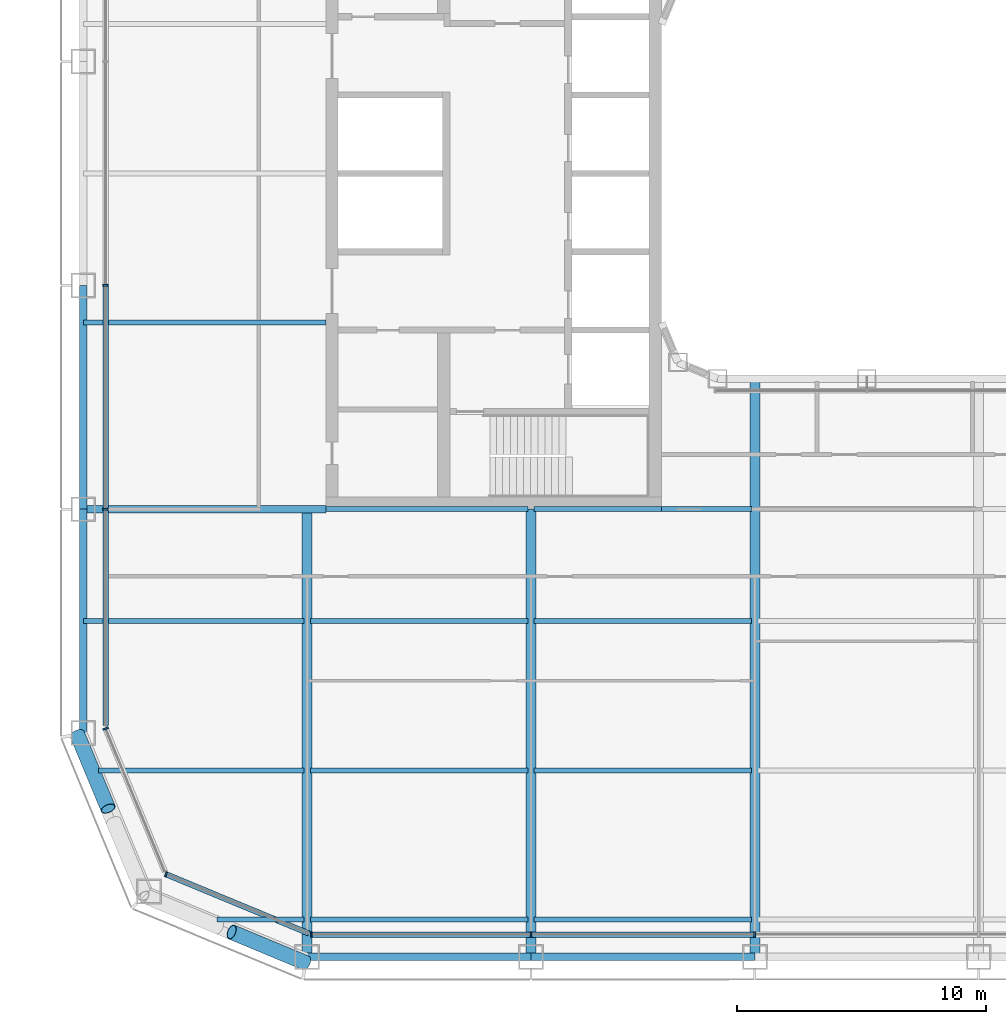
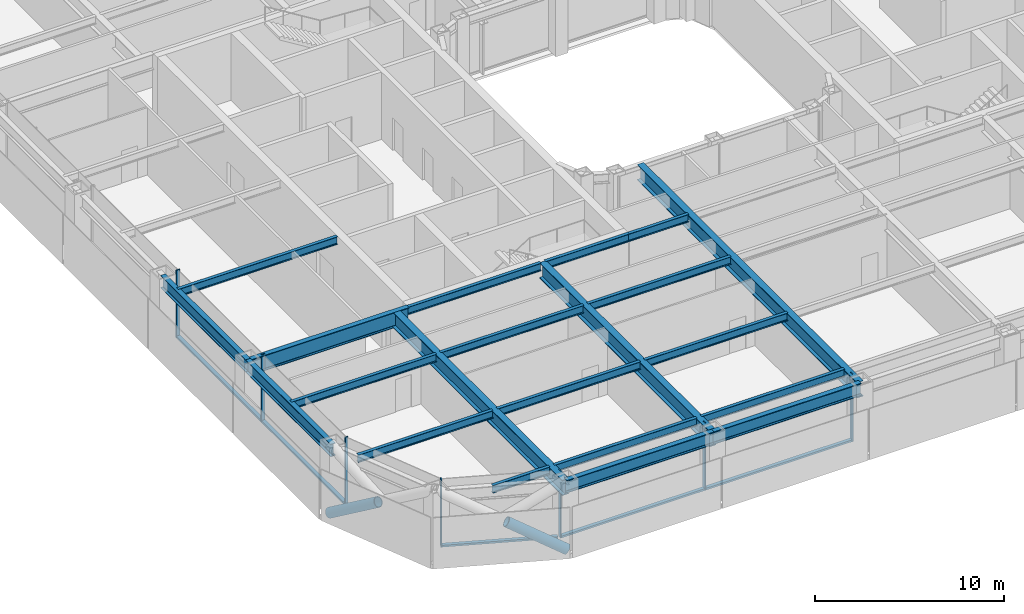
# One storey, part 2 of 29: 21 beams, 14 members, 4 elements without a shape of their own.
"""IFC4 building model written with IfcOpenShell, lengths in metres."""

from ifc_helpers import new_model, si_unit, direction, frame, origin, origin_2d, place, context, subcontext, project, spatial, rectangle, hollow_circle, i_section, extrude, material, layer, layer_set, material_profile, profile_set, type_object, element, aggregate, save


model = new_model("IFC4")

# Units and contexts
model_context = context("Model", 3, precision=1e-05, world=origin(), true_north=direction((0.0, 1.0)))
body_context = subcontext(model_context, "Body", "Model", "MODEL_VIEW")
ifc_project = project(units=[si_unit("LENGTHUNIT", "METRE"), si_unit("AREAUNIT", "SQUARE_METRE"), si_unit("VOLUMEUNIT", "CUBIC_METRE"), si_unit("PLANEANGLEUNIT", "RADIAN"), si_unit("MASSUNIT", "GRAM", prefix="KILO")], contexts=[model_context])

# Site, building, storey
site_placement = place(None, origin())
site = spatial("IfcSite", under=ifc_project, at=site_placement, CompositionType="ELEMENT")
building_placement = place(site_placement, origin())
building = spatial("IfcBuilding", under=site, at=building_placement, Name="Siwar Civic Tower", CompositionType="ELEMENT")
storey_placement = place(building_placement, frame((0.0, 0.0, 67.199951171875)))
storey = spatial("IfcBuildingStorey", under=building, at=storey_placement, Name="L14", CompositionType="ELEMENT", Elevation=67.199951171875)

# Curtain wall, members
ifc_material_1 = material(Name="Aluminium and glass", Category="aluminium")
ifc_layer_1 = layer(ifc_material_1, 0.219970703125)
ifc_layer_set_1 = layer_set([ifc_layer_1], Name="Aluminium and glass")
curtain_wall_type_1 = type_object("IfcCurtainWallType", Name="ENV-CW-A", PredefinedType="NOTDEFINED", material=ifc_layer_set_1)
curtain_wall_1_placement = place(storey_placement, origin())
curtain_wall_1 = element("IfcCurtainWall", 1, at=curtain_wall_1_placement, inside=storey, type_object=curtain_wall_type_1, Name="Curtain wall A S", PredefinedType="NOTDEFINED")
ifc_material_2 = material(Name="Aluminium 6063-T6", Category="aluminium")
ifc_material_profile_1 = material_profile(ifc_material_2, rectangle(XDim=0.219970703125, YDim=0.070068359375, at=origin_2d()), Name="AL 220x70")
ifc_profile_set_1 = profile_set([ifc_material_profile_1], Name="Aluminium 6063-T6")
member_type_1 = type_object("IfcMemberType", Name="ENV-MULLION-A", PredefinedType="MULLION", material=ifc_profile_set_1)
member_1_placement = place(storey_placement, frame((-22.321044921875, -30.60009765625, 0.0), z_axis=(0.0, 0.0, 1.0), x_axis=(0.0, 1.0, 0.0)))
member_1 = element("IfcMember", 2, at=member_1_placement, type_object=member_type_1, Name="Mullion A S 1", PredefinedType="MULLION", context=body_context, shape_type="SweptSolid", body=[
    extrude(rectangle(XDim=0.219970703125, YDim=0.070068359375, at=origin_2d()), origin(), (0.0, 0.0, 1.0), 4.35009765625),
])
member_2_placement = place(storey_placement, frame((-13.5, -30.60009765625, 0.0), z_axis=(0.0, 0.0, 1.0), x_axis=(0.0, 1.0, 0.0)))
member_2 = element("IfcMember", 3, at=member_2_placement, type_object=member_type_1, Name="Mullion A S 2", PredefinedType="MULLION", context=body_context, shape_type="SweptSolid", body=[
    extrude(rectangle(XDim=0.219970703125, YDim=0.070068359375, at=origin_2d()), origin(), (0.0, 0.0, 1.0), 4.35009765625),
])
member_3_placement = place(storey_placement, frame((-4.5, -30.60009765625, 0.0), z_axis=(0.0, 0.0, 1.0), x_axis=(0.0, 1.0, 0.0)))
member_3 = element("IfcMember", 4, at=member_3_placement, type_object=member_type_1, Name="Mullion A S 3", PredefinedType="MULLION", context=body_context, shape_type="SweptSolid", body=[
    extrude(rectangle(XDim=0.219970703125, YDim=0.070068359375, at=origin_2d()), origin(), (0.0, 0.0, 1.0), 4.35009765625),
])

curtain_wall_2_placement = place(storey_placement, origin())
curtain_wall_2 = element("IfcCurtainWall", 5, at=curtain_wall_2_placement, inside=storey, type_object=curtain_wall_type_1, Name="Curtain wall A W", PredefinedType="NOTDEFINED")
member_4_placement = place(storey_placement, frame((-30.60009765625, -4.5, 0.0), z_axis=(0.0, 0.0, 1.0), x_axis=(1.0, 0.0, 0.0)))
member_4 = element("IfcMember", 6, at=member_4_placement, type_object=member_type_1, Name="Mullion A W 4", PredefinedType="MULLION", context=body_context, shape_type="SweptSolid", body=[
    extrude(rectangle(XDim=0.219970703125, YDim=0.070068359375, at=origin_2d()), origin(), (0.0, 0.0, 1.0), 4.35009765625),
])
member_5_placement = place(storey_placement, frame((-30.60009765625, -13.5, 0.0), z_axis=(0.0, 0.0, 1.0), x_axis=(1.0, 0.0, 0.0)))
member_5 = element("IfcMember", 7, at=member_5_placement, type_object=member_type_1, Name="Mullion A W 5", PredefinedType="MULLION", context=body_context, shape_type="SweptSolid", body=[
    extrude(rectangle(XDim=0.219970703125, YDim=0.070068359375, at=origin_2d()), origin(), (0.0, 0.0, 1.0), 4.35009765625),
])

# Curtain wall, member
ifc_material_3 = material(Name="Aluminium clad insulated panel", Category="aluminium")
ifc_layer_2 = layer(ifc_material_3, 0.219970703125)
ifc_layer_set_2 = layer_set([ifc_layer_2], Name="Aluminium clad insulated panel")
curtain_wall_type_2 = type_object("IfcCurtainWallType", Name="ENV-CW-AX", PredefinedType="NOTDEFINED", material=ifc_layer_set_2)
curtain_wall_3_placement = place(storey_placement, origin())
curtain_wall_3 = element("IfcCurtainWall", 8, at=curtain_wall_3_placement, inside=storey, type_object=curtain_wall_type_2, Name="Curtain wall A SW1", PredefinedType="NOTDEFINED")
member_6_placement = place(storey_placement, frame((-30.60009765625, -22.321044921875, 0.0), z_axis=(0.0, 0.0, 1.0), x_axis=(0.923879532511, 0.382683432365, 0.0)))
member_6 = element("IfcMember", 9, at=member_6_placement, type_object=member_type_1, Name="Mullion A SW1 1", PredefinedType="MULLION", context=body_context, shape_type="SweptSolid", body=[
    extrude(rectangle(XDim=0.219970703125, YDim=0.070068359375, at=origin_2d()), origin(), (0.0, 0.0, 1.0), 4.35009765625),
])
aggregate(curtain_wall_3, [member_6])

curtain_wall_4_placement = place(storey_placement, origin())
curtain_wall_4 = element("IfcCurtainWall", 10, at=curtain_wall_4_placement, inside=storey, type_object=curtain_wall_type_2, Name="Curtain wall A SW2", PredefinedType="NOTDEFINED")
member_7_placement = place(storey_placement, frame((-28.175048828125, -28.175048828125, 0.0), z_axis=(0.0, 0.0, 1.0), x_axis=(0.382683432365, 0.923879532511, 0.0)))
member_7 = element("IfcMember", 11, at=member_7_placement, type_object=member_type_1, Name="Mullion A SW2 1", PredefinedType="MULLION", context=body_context, shape_type="SweptSolid", body=[
    extrude(rectangle(XDim=0.219970703125, YDim=0.070068359375, at=origin_2d()), origin(), (0.0, 0.0, 1.0), 4.35009765625),
])

# Member
ifc_material_4 = material(Name="Aluminium 6063-T6", Category="aluminium")
ifc_material_profile_2 = material_profile(ifc_material_4, rectangle(XDim=0.219970703125, YDim=0.1201171875, at=origin_2d()), Name="AL 220x120")
ifc_profile_set_2 = profile_set([ifc_material_profile_2], Name="Aluminium 6063-T6")
member_type_2 = type_object("IfcMemberType", Name="ENV-TRANSOM-A", PredefinedType="USERDEFINED", material=ifc_profile_set_2)
member_8_placement = place(storey_placement, frame((-22.285888671875, -30.60009765625, 0.06005859375), z_axis=(1.0, 0.0, 0.0), x_axis=(0.0, 1.0, 0.0)))
member_8 = element("IfcMember", 12, at=member_8_placement, type_object=member_type_2, Name="Transom A S 1", ObjectType="TRANSOM", PredefinedType="USERDEFINED", context=body_context, shape_type="SweptSolid", body=[
    extrude(rectangle(XDim=0.219970703125, YDim=0.1201171875, at=origin_2d()), origin(), (0.0, 0.0, 1.0), 8.7509765625),
])

member_9_placement = place(storey_placement, frame((-13.465087890625, -30.60009765625, 0.06005859375), z_axis=(1.0, 0.0, 0.0), x_axis=(0.0, 1.0, 0.0)))
member_9 = element("IfcMember", 13, at=member_9_placement, type_object=member_type_2, Name="Transom A S 2", ObjectType="TRANSOM", PredefinedType="USERDEFINED", context=body_context, shape_type="SweptSolid", body=[
    extrude(rectangle(XDim=0.219970703125, YDim=0.1201171875, at=origin_2d()), origin(), (0.0, 0.0, 1.0), 8.93017578125),
])

aggregate(curtain_wall_1, [member_1, member_2, member_3, member_8, member_9])

member_10_placement = place(storey_placement, frame((-30.60009765625, -4.534912109375, 0.06005859375), z_axis=(0.0, -1.0, 0.0), x_axis=(1.0, 0.0, 0.0)))
member_10 = element("IfcMember", 14, at=member_10_placement, type_object=member_type_2, Name="Transom A W 4", ObjectType="TRANSOM", PredefinedType="USERDEFINED", context=body_context, shape_type="SweptSolid", body=[
    extrude(rectangle(XDim=0.219970703125, YDim=0.1201171875, at=origin_2d()), origin(), (0.0, 0.0, 1.0), 8.93017578125),
])

member_11_placement = place(storey_placement, frame((-30.60009765625, -13.534912109375, 0.06005859375), z_axis=(0.0, -1.0, 0.0), x_axis=(1.0, 0.0, 0.0)))
member_11 = element("IfcMember", 15, at=member_11_placement, type_object=member_type_2, Name="Transom A W 5", ObjectType="TRANSOM", PredefinedType="USERDEFINED", context=body_context, shape_type="SweptSolid", body=[
    extrude(rectangle(XDim=0.219970703125, YDim=0.1201171875, at=origin_2d()), origin(), (0.0, 0.0, 1.0), 8.66357421875),
])

aggregate(curtain_wall_2, [member_4, member_5, member_10, member_11])

member_12_placement = place(storey_placement, frame((-28.142822265625, -28.1884765625, 0.06005859375), z_axis=(0.923873326341, -0.382698415042, 0.0), x_axis=(0.382698415042, 0.923873326341, 0.0)))
member_12 = element("IfcMember", 16, at=member_12_placement, type_object=member_type_2, Name="Transom A SW2 1", ObjectType="TRANSOM", PredefinedType="USERDEFINED", context=body_context, shape_type="SweptSolid", body=[
    extrude(rectangle(XDim=0.219970703125, YDim=0.1201171875, at=origin_2d()), origin(), (0.0, 0.0, 1.0), 6.17919921875),
])

aggregate(curtain_wall_4, [member_7, member_12])

# Members
ifc_material_5 = material(Name="Steel S355", Category="steel")
ifc_material_profile_3 = material_profile(ifc_material_5, hollow_circle(Radius=0.304931640625, WallThickness=0.030029296875, at=origin_2d()), Name="CHS610x30")
ifc_profile_set_3 = profile_set([ifc_material_profile_3], Name="Steel S355")
member_type_3 = type_object("IfcMemberType", Name="STR-BR-CHS610x30", PredefinedType="BRACE", material=ifc_profile_set_3)
for number, where, z_axis, x_axis, name in (
    (17, (-22.548828125, -31.7451171875, 0.0), (-0.777533059308, 0.323882123145, 0.539020140617), (-0.384524353215, -0.923114847559, 0.0), "L14/brc/ASW1-13-0-2"),
    (18, (-31.7451171875, -22.548828125, 0.0), (0.323882123145, -0.777533059308, 0.539020140617), (0.923114847559, 0.384524353215, 0.0), "L14/brc/ASW1-13-0-4"),
):
    element("IfcMember", number, at=place(storey_placement, frame(where, z_axis=z_axis, x_axis=x_axis)), inside=storey, type_object=member_type_3, Name=name, PredefinedType="BRACE", context=body_context, shape_type="SweptSolid", body=[
        extrude(hollow_circle(Radius=0.304931640625, WallThickness=0.030029296875, at=origin_2d()), origin(), (0.0, 0.0, 1.0), 3.843505859375),
    ])

# Beams
ifc_material_6 = material(Name="Steel S355", Category="steel")
ifc_material_profile_4 = material_profile(ifc_material_6, i_section(OverallWidth=0.199951171875, OverallDepth=0.5, WebThickness=0.01025390625, FlangeThickness=0.01611328125, FilletRadius=0.02099609375, at=origin_2d()), Name="IPE500")
ifc_profile_set_4 = profile_set([ifc_material_profile_4], Name="Steel S355")
beam_type_1 = type_object("IfcBeamType", Name="STR-FB-IPE500", PredefinedType="JOIST", material=ifc_profile_set_4)
beam_1_placement = place(storey_placement, frame((-26.121337890625, -30.0, 4.10009765625), z_axis=(1.0, 0.0, 0.0), x_axis=(0.0, 1.0, 0.0)))
element("IfcBeam", 19, at=beam_1_placement, inside=storey, type_object=beam_type_1, Name="L14/bm/F001", PredefinedType="JOIST", context=body_context, shape_type="SweptSolid", body=[
    extrude(i_section(OverallWidth=0.199951171875, OverallDepth=0.5, WebThickness=0.01025390625, FlangeThickness=0.01611328125, FilletRadius=0.02099609375, at=origin_2d()), origin(), (0.0, 0.0, 1.0), 3.491455078125),
])
for number, where, z_axis, x_axis, name in (
    (20, (-22.3701171875, -30.0, 4.10009765625), (1.0, 0.0, 0.0), (0.0, 1.0, 0.0), "L14/bm/F002"),
    (21, (-13.3701171875, -30.0, 4.10009765625), (1.0, 0.0, 0.0), (0.0, 1.0, 0.0), "L14/bm/F003"),
):
    element("IfcBeam", number, at=place(storey_placement, frame(where, z_axis=z_axis, x_axis=x_axis)), inside=storey, type_object=beam_type_1, Name=name, PredefinedType="JOIST", context=body_context, shape_type="SweptSolid", body=[
        extrude(i_section(OverallWidth=0.199951171875, OverallDepth=0.5, WebThickness=0.01025390625, FlangeThickness=0.01611328125, FilletRadius=0.02099609375, at=origin_2d()), origin(), (0.0, 0.0, 1.0), 8.740234375),
    ])
beam_2_placement = place(storey_placement, frame((-30.878662109375, -24.0, 4.10009765625), z_axis=(1.0, 0.0, 0.0), x_axis=(0.0, 1.0, 0.0)))
element("IfcBeam", 22, at=beam_2_placement, inside=storey, type_object=beam_type_1, Name="L14/bm/F008", PredefinedType="JOIST", context=body_context, shape_type="SweptSolid", body=[
    extrude(i_section(OverallWidth=0.199951171875, OverallDepth=0.5, WebThickness=0.01025390625, FlangeThickness=0.01611328125, FilletRadius=0.02099609375, at=origin_2d()), origin(), (0.0, 0.0, 1.0), 8.248779296875),
])
for number, where, z_axis, x_axis, name in (
    (23, (-22.3701171875, -24.0, 4.10009765625), (1.0, 0.0, 0.0), (0.0, 1.0, 0.0), "L14/bm/F009"),
    (24, (-13.3701171875, -24.0, 4.10009765625), (1.0, 0.0, 0.0), (0.0, 1.0, 0.0), "L14/bm/F010"),
):
    element("IfcBeam", number, at=place(storey_placement, frame(where, z_axis=z_axis, x_axis=x_axis)), inside=storey, type_object=beam_type_1, Name=name, PredefinedType="JOIST", context=body_context, shape_type="SweptSolid", body=[
        extrude(i_section(OverallWidth=0.199951171875, OverallDepth=0.5, WebThickness=0.01025390625, FlangeThickness=0.01611328125, FilletRadius=0.02099609375, at=origin_2d()), origin(), (0.0, 0.0, 1.0), 8.740234375),
    ])
beam_3_placement = place(storey_placement, frame((-31.5, -18.0, 4.10009765625), z_axis=(1.0, 0.0, 0.0), x_axis=(0.0, 1.0, 0.0)))
element("IfcBeam", 25, at=beam_3_placement, inside=storey, type_object=beam_type_1, Name="L14/bm/F015", PredefinedType="JOIST", context=body_context, shape_type="SweptSolid", body=[
    extrude(i_section(OverallWidth=0.199951171875, OverallDepth=0.5, WebThickness=0.01025390625, FlangeThickness=0.01611328125, FilletRadius=0.02099609375, at=origin_2d()), origin(), (0.0, 0.0, 1.0), 8.8701171875),
])
for number, where, z_axis, x_axis, name in (
    (26, (-22.3701171875, -18.0, 4.10009765625), (1.0, 0.0, 0.0), (0.0, 1.0, 0.0), "L14/bm/F016"),
    (27, (-13.3701171875, -18.0, 4.10009765625), (1.0, 0.0, 0.0), (0.0, 1.0, 0.0), "L14/bm/F017"),
):
    element("IfcBeam", number, at=place(storey_placement, frame(where, z_axis=z_axis, x_axis=x_axis)), inside=storey, type_object=beam_type_1, Name=name, PredefinedType="JOIST", context=body_context, shape_type="SweptSolid", body=[
        extrude(i_section(OverallWidth=0.199951171875, OverallDepth=0.5, WebThickness=0.01025390625, FlangeThickness=0.01611328125, FilletRadius=0.02099609375, at=origin_2d()), origin(), (0.0, 0.0, 1.0), 8.740234375),
    ])
beam_4_placement = place(storey_placement, frame((-21.75, -13.5, 4.10009765625), z_axis=(1.0, 0.0, 0.0), x_axis=(0.0, 1.0, 0.0)))
element("IfcBeam", 28, at=beam_4_placement, inside=storey, type_object=beam_type_1, Name="L14/bm/F023", PredefinedType="JOIST", context=body_context, shape_type="SweptSolid", body=[
    extrude(i_section(OverallWidth=0.199951171875, OverallDepth=0.5, WebThickness=0.01025390625, FlangeThickness=0.01611328125, FilletRadius=0.02099609375, at=origin_2d()), origin(), (0.0, 0.0, 1.0), 8.1201171875),
])
beam_5_placement = place(storey_placement, frame((-13.3701171875, -13.5, 4.10009765625), z_axis=(1.0, 0.0, 0.0), x_axis=(0.0, 1.0, 0.0)))
element("IfcBeam", 29, at=beam_5_placement, inside=storey, type_object=beam_type_1, Name="L14/bm/F024", PredefinedType="JOIST", context=body_context, shape_type="SweptSolid", body=[
    extrude(i_section(OverallWidth=0.199951171875, OverallDepth=0.5, WebThickness=0.01025390625, FlangeThickness=0.01611328125, FilletRadius=0.02099609375, at=origin_2d()), origin(), (0.0, 0.0, 1.0), 5.1201171875),
])
beam_6_placement = place(storey_placement, frame((-8.25, -13.5, 4.10009765625), z_axis=(1.0, 0.0, 0.0), x_axis=(0.0, 1.0, 0.0)))
element("IfcBeam", 30, at=beam_6_placement, inside=storey, type_object=beam_type_1, Name="L14/bm/F025", PredefinedType="JOIST", context=body_context, shape_type="SweptSolid", body=[
    extrude(i_section(OverallWidth=0.199951171875, OverallDepth=0.5, WebThickness=0.01025390625, FlangeThickness=0.01611328125, FilletRadius=0.02099609375, at=origin_2d()), origin(), (0.0, 0.0, 1.0), 3.6201171875),
])
beam_7_placement = place(storey_placement, frame((-31.5, -6.0, 4.10009765625), z_axis=(1.0, 0.0, 0.0), x_axis=(0.0, 1.0, 0.0)))
element("IfcBeam", 31, at=beam_7_placement, inside=storey, type_object=beam_type_1, Name="L14/bm/F031", PredefinedType="JOIST", context=body_context, shape_type="SweptSolid", body=[
    extrude(i_section(OverallWidth=0.199951171875, OverallDepth=0.5, WebThickness=0.01025390625, FlangeThickness=0.01611328125, FilletRadius=0.02099609375, at=origin_2d()), origin(), (0.0, 0.0, 1.0), 9.75),
])
ifc_material_7 = material(Name="Steel S355", Category="steel")
ifc_material_profile_5 = material_profile(ifc_material_7, i_section(OverallWidth=0.300048828125, OverallDepth=1.0, WebThickness=0.01904296875, FlangeThickness=0.035888671875, FilletRadius=0.030029296875, at=origin_2d()), Name="HEB1000")
ifc_profile_set_5 = profile_set([ifc_material_profile_5], Name="Steel S355")
beam_type_2 = type_object("IfcBeamType", Name="STR-PG-HEB1000", PredefinedType="BEAM", material=ifc_profile_set_5)
beam_8_placement = place(storey_placement, frame((-31.5, -13.5, 3.85009765625), z_axis=(1.0, 0.0, 0.0), x_axis=(0.0, 1.0, 0.0)))
element("IfcBeam", 32, at=beam_8_placement, inside=storey, type_object=beam_type_2, Name="L14/bm/F022", PredefinedType="BEAM", context=body_context, shape_type="SweptSolid", body=[
    extrude(i_section(OverallWidth=0.300048828125, OverallDepth=1.0, WebThickness=0.01904296875, FlangeThickness=0.035888671875, FilletRadius=0.030029296875, at=origin_2d()), origin(), (0.0, 0.0, 1.0), 9.75),
])
ifc_material_8 = material(Name="Steel S355", Category="steel")
ifc_material_profile_6 = material_profile(ifc_material_8, i_section(OverallWidth=0.39990234375, OverallDepth=1.0, WebThickness=0.01611328125, FlangeThickness=0.0400390625, at=origin_2d()), Name="PG1000x400x16x40")
ifc_profile_set_6 = profile_set([ifc_material_profile_6], Name="Steel S355")
beam_type_3 = type_object("IfcBeamType", Name="STR-PG-PG1000x400x16x40", PredefinedType="BEAM", material=ifc_profile_set_6)
for number, where, z_axis, x_axis, name in (
    (33, (-22.5, -31.5, 3.85009765625), (0.0, 1.0, 0.0), (-1.0, 0.0, 0.0), "L14/bm/G01"),
    (34, (-13.5, -31.5, 3.85009765625), (0.0, 1.0, 0.0), (-1.0, 0.0, 0.0), "L14/bm/G03"),
):
    element("IfcBeam", number, at=place(storey_placement, frame(where, z_axis=z_axis, x_axis=x_axis)), inside=storey, type_object=beam_type_3, Name=name, PredefinedType="BEAM", context=body_context, shape_type="SweptSolid", body=[
        extrude(i_section(OverallWidth=0.39990234375, OverallDepth=1.0, WebThickness=0.01611328125, FlangeThickness=0.0400390625, at=origin_2d()), origin(), (0.0, 0.0, 1.0), 18.0),
    ])
beam_9_placement = place(storey_placement, frame((-4.5, -31.5, 3.85009765625), z_axis=(0.0, 1.0, 0.0), x_axis=(-1.0, 0.0, 0.0)))
element("IfcBeam", 35, at=beam_9_placement, inside=storey, type_object=beam_type_3, Name="L14/bm/G05", PredefinedType="BEAM", context=body_context, shape_type="SweptSolid", body=[
    extrude(i_section(OverallWidth=0.39990234375, OverallDepth=1.0, WebThickness=0.01611328125, FlangeThickness=0.0400390625, at=origin_2d()), origin(), (0.0, 0.0, 1.0), 23.25),
])
ifc_material_9 = material(Name="Steel S355", Category="steel")
ifc_material_profile_7 = material_profile(ifc_material_9, i_section(OverallWidth=0.302978515625, OverallDepth=0.81396484375, WebThickness=0.02099609375, FlangeThickness=0.0400390625, FilletRadius=0.030029296875, at=origin_2d()), Name="HEM800")
ifc_profile_set_7 = profile_set([ifc_material_profile_7], Name="Steel S355")
beam_type_4 = type_object("IfcBeamType", Name="STR-SB-HEM800", PredefinedType="BEAM", material=ifc_profile_set_7)
for number, where, z_axis, x_axis, name in (
    (36, (-22.5, -31.5, 3.943115234375), (1.0, 0.0, 0.0), (0.0, 1.0, 0.0), "L14/bm/SS-0"),
    (37, (-13.5, -31.5, 3.943115234375), (1.0, 0.0, 0.0), (0.0, 1.0, 0.0), "L14/bm/SS-1"),
    (38, (-31.5, -4.5, 3.943115234375), (0.0, -1.0, 0.0), (1.0, 0.0, 0.0), "L14/bm/SW-3"),
    (39, (-31.5, -13.5, 3.943115234375), (0.0, -1.0, 0.0), (1.0, 0.0, 0.0), "L14/bm/SW-4"),
):
    element("IfcBeam", number, at=place(storey_placement, frame(where, z_axis=z_axis, x_axis=x_axis)), inside=storey, type_object=beam_type_4, Name=name, PredefinedType="BEAM", context=body_context, shape_type="SweptSolid", body=[
        extrude(i_section(OverallWidth=0.302978515625, OverallDepth=0.81396484375, WebThickness=0.02099609375, FlangeThickness=0.0400390625, FilletRadius=0.030029296875, at=origin_2d()), origin(), (0.0, 0.0, 1.0), 9.0),
    ])

save(model, "model.ifc")
